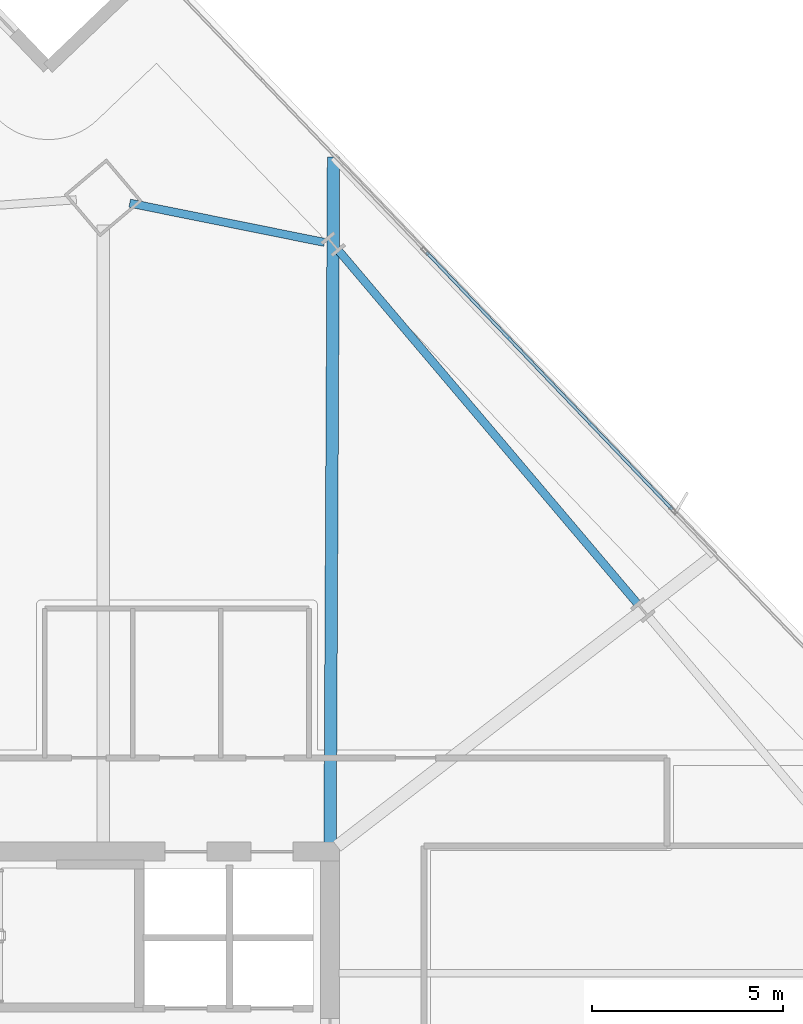
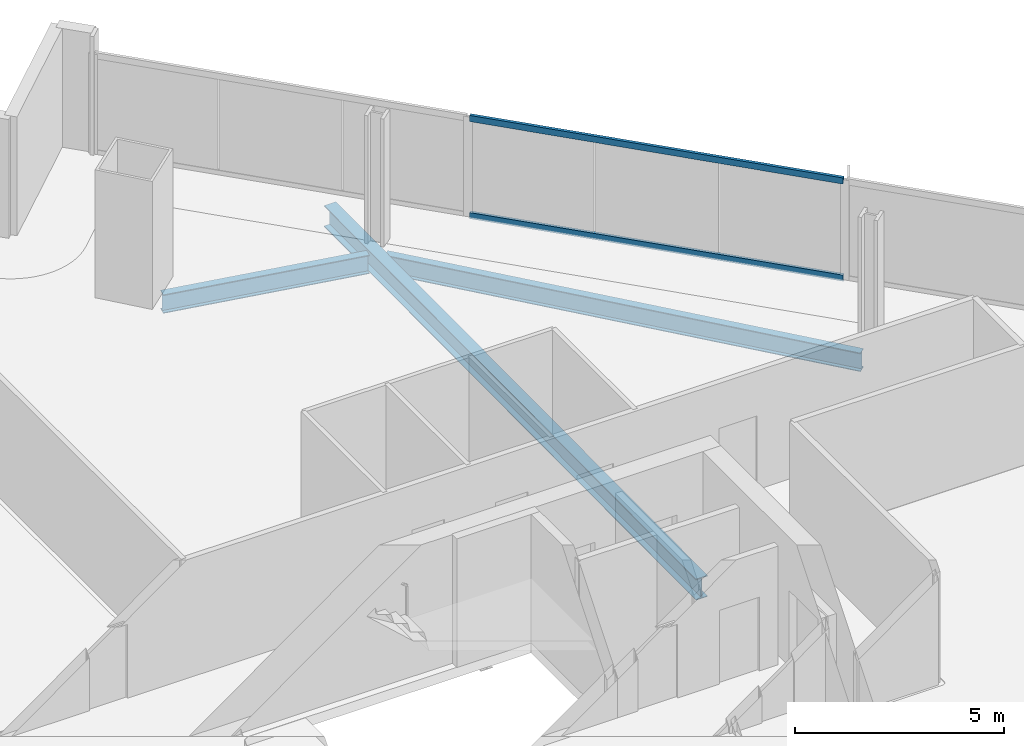
# One storey, part 21 of 33: 3 beams, 2 members, 1 element without a shape of its own.
"""IFC4 building model written with IfcOpenShell, lengths in metres."""

from ifc_helpers import new_model, si_unit, direction, frame, origin, origin_2d, place, context, subcontext, project, spatial, hollow_rectangle, i_section, extrude, material, material_profile, profile_set, type_object, element, aggregate, save


model = new_model("IFC4")

# Units and contexts
model_context = context("Model", 3, precision=1e-05, world=origin(), true_north=direction((0.0, 1.0)))
body_context = subcontext(model_context, "Body", "Model", "MODEL_VIEW")
ifc_project = project(units=[si_unit("LENGTHUNIT", "METRE"), si_unit("AREAUNIT", "SQUARE_METRE"), si_unit("VOLUMEUNIT", "CUBIC_METRE"), si_unit("PLANEANGLEUNIT", "RADIAN"), si_unit("MASSUNIT", "GRAM", prefix="KILO")], contexts=[model_context])

# Site, building, storey
site_placement = place(None, origin())
site = spatial("IfcSite", under=ifc_project, at=site_placement, CompositionType="ELEMENT")
building_placement = place(site_placement, origin())
building = spatial("IfcBuilding", under=site, at=building_placement, Name="Haldenkirk Collegiate Tower", CompositionType="ELEMENT")
storey_placement = place(building_placement, frame((0.0, 0.0, 174.449951171875)))
storey = spatial("IfcBuildingStorey", under=building, at=storey_placement, Name="L43", CompositionType="ELEMENT", Elevation=174.449951171875)

# Beams
ifc_material_1 = material(Name="Steel ASTM A992 Grade 50", Category="steel")
ifc_material_profile_1 = material_profile(ifc_material_1, i_section(OverallWidth=0.324951171875, OverallDepth=0.615966796875, WebThickness=0.013916015625, FlangeThickness=0.021484375, at=origin_2d()), Name="W24X117")
ifc_profile_set_1 = profile_set([ifc_material_profile_1], Name="Steel ASTM A992 Grade 50")
beam_type_1 = type_object("IfcBeamType", Name="BM-GIRDER-W24X117", PredefinedType="BEAM", material=ifc_profile_set_1)
beam_1_placement = place(storey_placement, frame((45.09130859375, 52.136474609375, -0.597900390625), z_axis=(-0.005030954123, -0.99998734467, 0.0), x_axis=(0.99998734467, -0.005030954123, 0.0)))
element("IfcBeam", 1, at=beam_1_placement, inside=storey, type_object=beam_type_1, Name="L43 primary floor girder 10", PredefinedType="BEAM", context=body_context, shape_type="SweptSolid", body=[
    extrude(i_section(OverallWidth=0.324951171875, OverallDepth=0.615966796875, WebThickness=0.013916015625, FlangeThickness=0.021484375, at=origin_2d()), origin(), (0.0, 0.0, 1.0), 17.90673828125),
])
ifc_material_profile_2 = material_profile(ifc_material_1, i_section(OverallWidth=0.2119140625, OverallDepth=0.5439453125, WebThickness=0.01318359375, FlangeThickness=0.021240234375, at=origin_2d()), Name="W21X83")
ifc_profile_set_2 = profile_set([ifc_material_profile_2], Name="Steel ASTM A992 Grade 50")
beam_type_2 = type_object("IfcBeamType", Name="BM-SPANDREL-W21X83", PredefinedType="SPANDREL", material=ifc_profile_set_2)
beam_2_placement = place(storey_placement, frame((53.023193359375, 40.482177734375, -0.56201171875), z_axis=(-0.646126367676, 0.763230448157, 0.0), x_axis=(-0.763230448157, -0.646126367676, 0.0)))
element("IfcBeam", 2, at=beam_2_placement, inside=storey, type_object=beam_type_2, Name="L43 perimeter spandrel beam 07", PredefinedType="SPANDREL", context=body_context, shape_type="SweptSolid", body=[
    extrude(i_section(OverallWidth=0.2119140625, OverallDepth=0.5439453125, WebThickness=0.01318359375, FlangeThickness=0.021240234375, at=origin_2d()), origin(), (0.0, 0.0, 1.0), 12.06494140625),
])
beam_3_placement = place(storey_placement, frame((44.85546875, 49.910400390625, -0.56201171875), z_axis=(-0.980286465062, 0.197581493102, 0.0), x_axis=(-0.197581493102, -0.980286465062, 0.0)))
element("IfcBeam", 3, at=beam_3_placement, inside=storey, type_object=beam_type_2, Name="L43 perimeter spandrel beam 08", PredefinedType="SPANDREL", context=body_context, shape_type="SweptSolid", body=[
    extrude(i_section(OverallWidth=0.2119140625, OverallDepth=0.5439453125, WebThickness=0.01318359375, FlangeThickness=0.021240234375, at=origin_2d()), origin(), (0.0, 0.0, 1.0), 5.189697265625),
])

# Curtain wall, members
ifc_material_2 = material(Name="Anodised architectural bronze aluminium", Category="aluminium")
curtain_wall_type = type_object("IfcCurtainWallType", Name="CW-SYS1-CONVEX-LOW", PredefinedType="USERDEFINED", material=ifc_material_2)
curtain_wall_placement = place(storey_placement, origin())
curtain_wall = element("IfcCurtainWall", 4, at=curtain_wall_placement, inside=storey, type_object=curtain_wall_type, Name="L43 Lower tower convex bronze-framed unitised curtain wall", ObjectType="UNITISED CURTAIN WALL", PredefinedType="USERDEFINED")
ifc_material_profile_3 = material_profile(ifc_material_2, hollow_rectangle(XDim=0.080078125, YDim=0.179931640625, WallThickness=0.0048828125, at=origin_2d()), Name="CW-TRN-1A")
ifc_profile_set_3 = profile_set([ifc_material_profile_3], Name="Anodised architectural bronze aluminium")
member_type = type_object("IfcMemberType", Name="CW-TRN-1A", PredefinedType="USERDEFINED", material=ifc_profile_set_3)
member_1_placement = place(storey_placement, frame((47.52001953125, 49.65283203125, 0.0400390625), z_axis=(0.690878837122, -0.722970561238, 0.0), x_axis=(0.722970561238, 0.690878837122, 0.0)))
member_1 = element("IfcMember", 5, at=member_1_placement, type_object=member_type, Name="CW-1A transom 2.1", ObjectType="TRANSOM", PredefinedType="USERDEFINED", context=body_context, shape_type="SweptSolid", body=[
    extrude(hollow_rectangle(XDim=0.080078125, YDim=0.179931640625, WallThickness=0.0048828125, at=origin_2d()), origin(), (0.0, 0.0, 1.0), 9.288818359375),
])
member_2_placement = place(storey_placement, frame((47.52001953125, 49.65283203125, 2.87109375), z_axis=(0.690878837122, -0.722970561238, 0.0), x_axis=(0.722970561238, 0.690878837122, 0.0)))
member_2 = element("IfcMember", 6, at=member_2_placement, type_object=member_type, Name="CW-1A transom 2.2", ObjectType="TRANSOM", PredefinedType="USERDEFINED", context=body_context, shape_type="SweptSolid", body=[
    extrude(hollow_rectangle(XDim=0.080078125, YDim=0.179931640625, WallThickness=0.0048828125, at=origin_2d()), origin(), (0.0, 0.0, 1.0), 9.288818359375),
])
aggregate(curtain_wall, [member_1, member_2])

save(model, "model.ifc")
